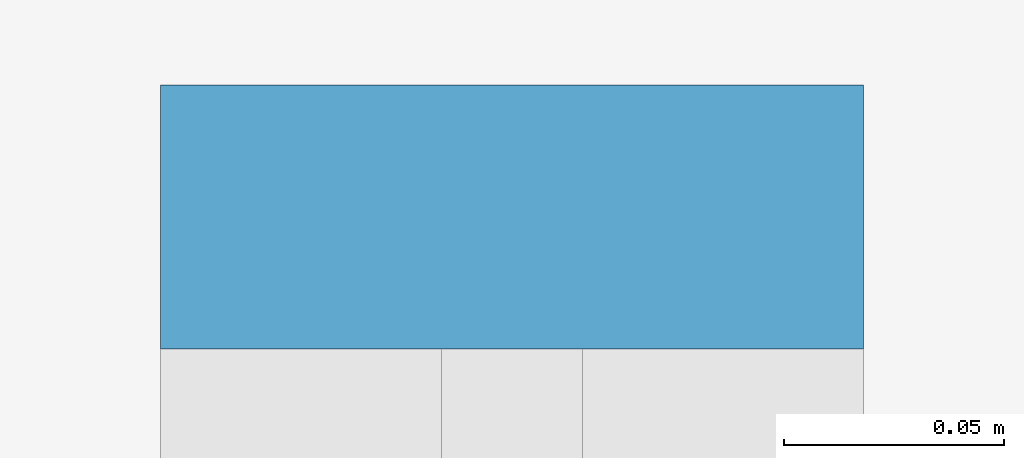
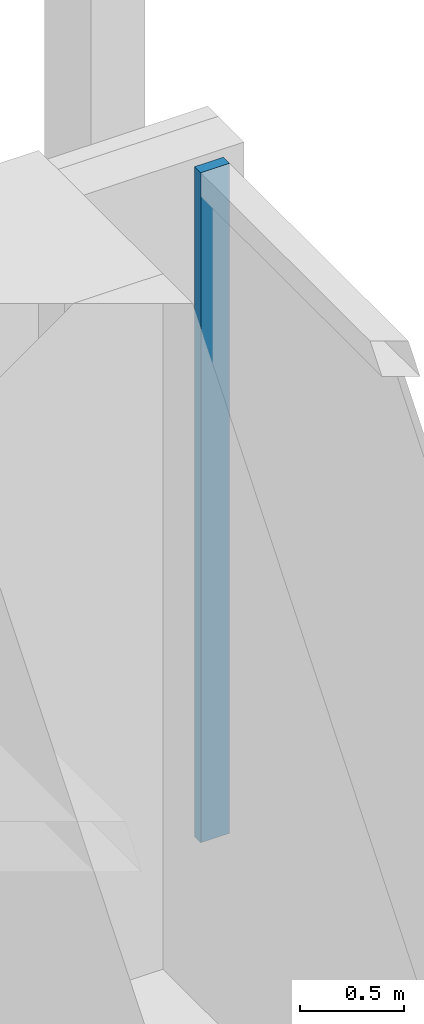
# One storey, part 22 of 33: 1 member, 1 element without a shape of its own.
"""IFC4 building model written with IfcOpenShell, lengths in metres."""

from ifc_helpers import new_model, si_unit, direction, frame, origin, origin_2d, place, context, subcontext, project, spatial, rectangle, extrude, material, material_profile, profile_set, type_object, element, aggregate, save


model = new_model("IFC4")

# Units and contexts
model_context = context("Model", 3, precision=1e-05, world=origin(), true_north=direction((0.0, 1.0)))
body_context = subcontext(model_context, "Body", "Model", "MODEL_VIEW")
ifc_project = project(units=[si_unit("LENGTHUNIT", "METRE"), si_unit("AREAUNIT", "SQUARE_METRE"), si_unit("VOLUMEUNIT", "CUBIC_METRE"), si_unit("PLANEANGLEUNIT", "RADIAN"), si_unit("MASSUNIT", "GRAM", prefix="KILO")], contexts=[model_context])

# Site, building, storey
site_placement = place(None, origin())
site = spatial("IfcSite", under=ifc_project, at=site_placement, CompositionType="ELEMENT")
building_placement = place(site_placement, origin())
building = spatial("IfcBuilding", under=site, at=building_placement, Name="Bicima Exchange Tower", CompositionType="ELEMENT")
storey_placement = place(building_placement, frame((0.0, 0.0, 140.39990234375)))
storey = spatial("IfcBuildingStorey", under=building, at=storey_placement, Name="L30", CompositionType="ELEMENT", Elevation=140.39990234375)

# Curtain wall, member
ifc_material = material(Name="Anodised bronze aluminium", Category="aluminium")
curtain_wall_type = type_object("IfcCurtainWallType", Name="Front glass wall", PredefinedType="NOTDEFINED", material=ifc_material)
curtain_wall_placement = place(storey_placement, origin())
curtain_wall = element("IfcCurtainWall", 1, at=curtain_wall_placement, inside=storey, type_object=curtain_wall_type, Name="Front glass wall L30 run 3", PredefinedType="NOTDEFINED")
ifc_material_profile = material_profile(ifc_material, rectangle(XDim=0.159912109375, YDim=0.06005859375, at=origin_2d()))
ifc_profile_set = profile_set([ifc_material_profile], Name="Anodised bronze aluminium")
member_type = type_object("IfcMemberType", Name="Front glass wall mullion 60 x 160", PredefinedType="MULLION", material=ifc_profile_set)
member_placement = place(storey_placement, frame((22.77001953125, -0.340087890625, 0.0), z_axis=(0.0, 0.0, 1.0), x_axis=(-1.0, 0.0, 0.0)))
member = element("IfcMember", 2, at=member_placement, type_object=member_type, Name="Front glass wall mullion 2", PredefinedType="MULLION", context=body_context, shape_type="SweptSolid", body=[
    extrude(rectangle(XDim=0.159912109375, YDim=0.06005859375, at=origin_2d()), origin(), (0.0, 0.0, 1.0), 3.9501953125),
])
aggregate(curtain_wall, [member])

save(model, "model.ifc")
